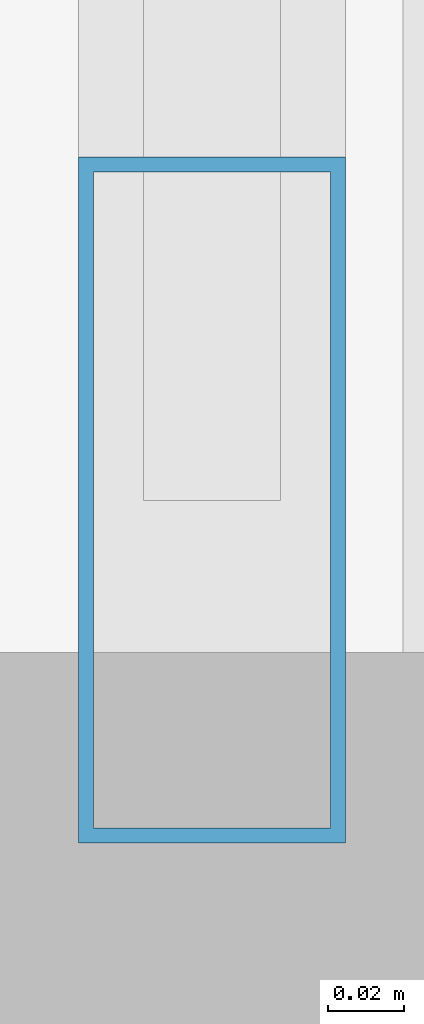
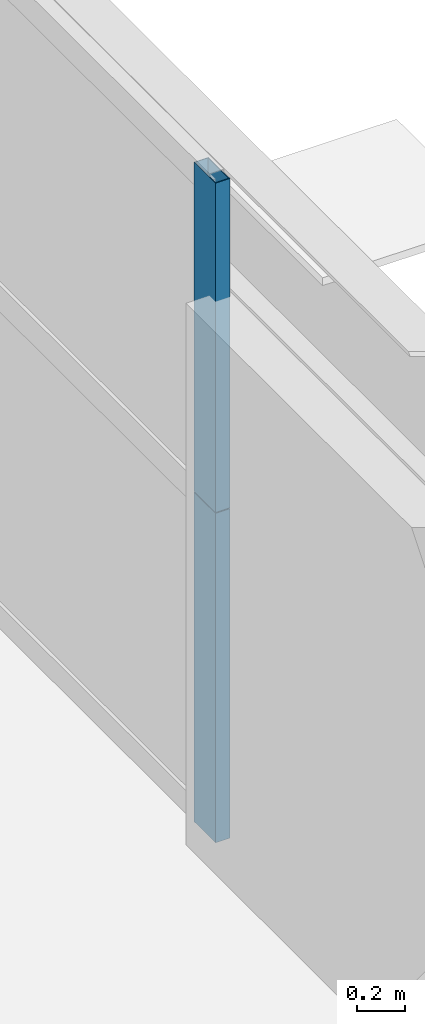
# One storey, part 18 of 45: 2 members, 1 element without a shape of its own.
"""IFC4 building model written with IfcOpenShell, lengths in metres."""

from ifc_helpers import new_model, si_unit, direction, frame, origin, origin_2d, place, context, subcontext, project, spatial, hollow_rectangle, extrude, source, transform, mapped, material, layer, layer_set, material_profile, profile_set, type_object, element, aggregate, save


model = new_model("IFC4")

# Units and contexts
model_context = context("Model", 3, precision=1e-05, world=origin(), true_north=direction((0.0, 1.0)))
body_context = subcontext(model_context, "Body", "Model", "MODEL_VIEW")
ifc_project = project(units=[si_unit("LENGTHUNIT", "METRE"), si_unit("AREAUNIT", "SQUARE_METRE"), si_unit("VOLUMEUNIT", "CUBIC_METRE"), si_unit("PLANEANGLEUNIT", "RADIAN"), si_unit("MASSUNIT", "GRAM", prefix="KILO"), si_unit("THERMODYNAMICTEMPERATUREUNIT", "KELVIN"), si_unit("POWERUNIT", "WATT")], contexts=[model_context])

# Site, building, storey
site_placement = place(None, origin())
site = spatial("IfcSite", under=ifc_project, at=site_placement, CompositionType="ELEMENT")
building_placement = place(site_placement, origin())
building = spatial("IfcBuilding", under=site, at=building_placement, Name="Yuzanri Waterfront Tower", CompositionType="ELEMENT")
storey_placement = place(building_placement, frame((0.0, 0.0, 34.199951171875)))
storey = spatial("IfcBuildingStorey", under=building, at=storey_placement, Name="L08", CompositionType="ELEMENT", Elevation=34.199951171875)

# Curtain wall, members
ifc_material_1 = material(Name="Anodized Architectural Bronze", Category="metal")
ifc_layer = layer(ifc_material_1, 0.159912109375)
ifc_layer_set = layer_set([ifc_layer], Name="Anodized Architectural Bronze")
curtain_wall_type = type_object("IfcCurtainWallType", Name="Anodized Bronze Hotel Lower-Tier Recessed Unitized Curtain Wall 8100", PredefinedType="NOTDEFINED", material=ifc_layer_set)
curtain_wall_placement = place(storey_placement, origin())
curtain_wall = element("IfcCurtainWall", 1, at=curtain_wall_placement, inside=storey, type_object=curtain_wall_type, Name="L08 Curtain Wall CW-L08-EL", PredefinedType="NOTDEFINED")
ifc_material_2 = material(Name="Anodized Architectural Bronze", Category="metal")
ifc_material_profile = material_profile(ifc_material_2, hollow_rectangle(XDim=0.070068359375, YDim=0.179931640625, WallThickness=0.00390625, at=origin_2d()), Name="CWM 70x180")
ifc_profile_set = profile_set([ifc_material_profile], Name="Anodized Architectural Bronze")
member_type = type_object("IfcMemberType", Name="Anodized Bronze Standard Curtain-Wall Mullion 70x180", PredefinedType="MULLION", material=ifc_profile_set)
shared_shape = source(origin(), body_context, "Body", "SweptSolid", [
    extrude(hollow_rectangle(XDim=0.070068359375, YDim=0.179931640625, WallThickness=0.00390625, at=origin_2d()), origin(), (0.0, 0.0, 1.0), 1.68798828125),
])
member_1_placement = place(storey_placement, frame((61.949951171875, 8.090087890625, 0.0), z_axis=(0.0, 0.0, 1.0), x_axis=(1.0, 0.0, 0.0)))
member_1 = element("IfcMember", 2, at=member_1_placement, type_object=member_type, Name="CW-L08-EL Lower Mullion 00", PredefinedType="MULLION", context=body_context, shape_type="MappedRepresentation", body=[
    mapped(shared_shape, transform((0.0, 0.0, 0.0), scale=1.0)),
])
member_2_placement = place(storey_placement, frame((61.949951171875, 8.090087890625, 1.692138671875), z_axis=(0.0, 0.0, 1.0), x_axis=(1.0, 0.0, 0.0)))
member_2 = element("IfcMember", 3, at=member_2_placement, type_object=member_type, Name="CW-L08-EL Upper Mullion 00", PredefinedType="MULLION", context=body_context, shape_type="MappedRepresentation", body=[
    mapped(shared_shape, transform((0.0, 0.0, 0.0), scale=1.0)),
])
aggregate(curtain_wall, [member_1, member_2])

save(model, "model.ifc")
